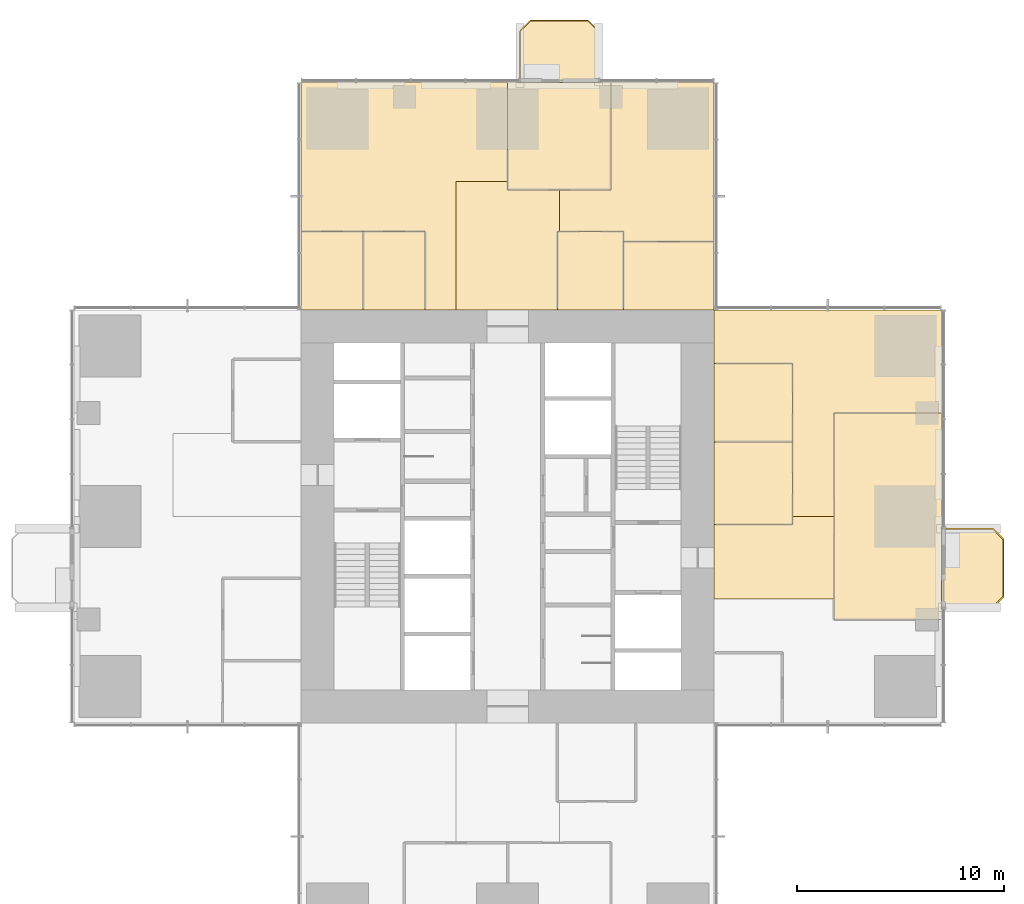
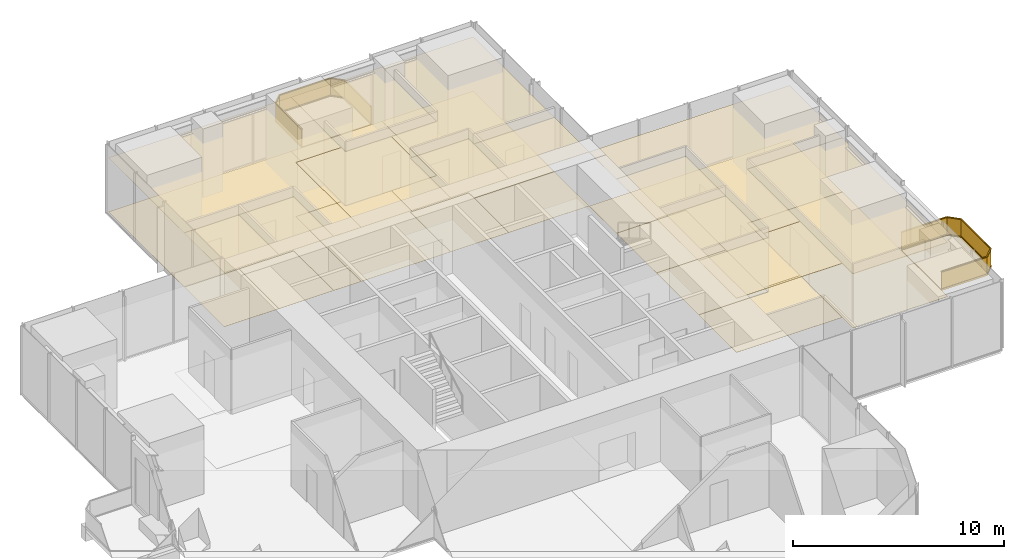
# One storey, part 12 of 13: 28 coverings, 2 railings.
"""IFC4 building model written with IfcOpenShell, lengths in metres."""

from ifc_helpers import new_model, si_unit, direction, frame, origin, origin_2d, place, context, subcontext, project, spatial, polyline, rectangle, outline, extrude, material, layer, layer_set, type_object, element, save


model = new_model("IFC4")

# Units and contexts
model_context = context("Model", 3, precision=1e-05, world=origin(), true_north=direction((0.0, 1.0)))
body_context = subcontext(model_context, "Body", "Model", "MODEL_VIEW")
ifc_project = project(units=[si_unit("LENGTHUNIT", "METRE"), si_unit("AREAUNIT", "SQUARE_METRE"), si_unit("VOLUMEUNIT", "CUBIC_METRE"), si_unit("PLANEANGLEUNIT", "RADIAN"), si_unit("MASSUNIT", "GRAM", prefix="KILO")], contexts=[model_context])

# Site, building, storey
site_placement = place(None, origin())
site = spatial("IfcSite", under=ifc_project, at=site_placement, CompositionType="ELEMENT")
building_placement = place(site_placement, origin())
building = spatial("IfcBuilding", under=site, at=building_placement, Name="Svetlomir Tower", CompositionType="ELEMENT")
storey_placement = place(building_placement, frame((0.0, 0.0, 152.5)))
storey = spatial("IfcBuildingStorey", under=building, at=storey_placement, Name="L36", CompositionType="ELEMENT", Elevation=152.5)

# Railings
ifc_material_1 = material(Name="Bronze anodised aluminium and laminated glass", Category="aluminium")
railing_type = type_object("IfcRailingType", Name="BALCONY GUARD GR1 1100", PredefinedType="GUARDRAIL", material=ifc_material_1)
railing_1_placement = place(storey_placement, frame((42.0, 16.60009765625, 0.0)))
element("IfcRailing", 1, at=railing_1_placement, inside=storey, type_object=railing_type, Name="Balcony guard E L36", PredefinedType="GUARDRAIL", context=body_context, shape_type="SweptSolid", body=[
    extrude(rectangle(XDim=0.06005859375, YDim=0.10009765625, at=origin_2d()), frame((0.0, 0.0, 0.050048828125), z_axis=(1.0, 0.0, 0.0), x_axis=(0.0, 1.0, 0.0)), (0.0, 0.0, 1.0), 2.5),
    extrude(rectangle(XDim=0.021484375, YDim=0.960205078125, at=origin_2d()), frame((0.0, 0.0, 0.580078125), z_axis=(1.0, 0.0, 0.0), x_axis=(0.0, 1.0, 0.0)), (0.0, 0.0, 1.0), 2.5),
    extrude(rectangle(XDim=0.06005859375, YDim=0.0400390625, at=origin_2d()), frame((0.0, 0.0, 1.080078125), z_axis=(1.0, 0.0, 0.0), x_axis=(0.0, 1.0, 0.0)), (0.0, 0.0, 1.0), 2.5),
    extrude(rectangle(XDim=0.06005859375, YDim=0.10009765625, at=origin_2d()), frame((2.5, 0.0, 0.050048828125), z_axis=(0.707106781187, 0.707106781187, 0.0), x_axis=(-0.707106781187, 0.707106781187, 0.0)), (0.0, 0.0, 1.0), 0.70703125),
    extrude(rectangle(XDim=0.021484375, YDim=0.960205078125, at=origin_2d()), frame((2.5, 0.0, 0.580078125), z_axis=(0.707106781187, 0.707106781187, 0.0), x_axis=(-0.707106781187, 0.707106781187, 0.0)), (0.0, 0.0, 1.0), 0.70703125),
    extrude(rectangle(XDim=0.06005859375, YDim=0.0400390625, at=origin_2d()), frame((2.5, 0.0, 1.080078125), z_axis=(0.707106781187, 0.707106781187, 0.0), x_axis=(-0.707106781187, 0.707106781187, 0.0)), (0.0, 0.0, 1.0), 0.70703125),
    extrude(rectangle(XDim=0.06005859375, YDim=0.10009765625, at=origin_2d()), frame((3.0, 0.5, 0.050048828125), z_axis=(0.0, 1.0, 0.0), x_axis=(-1.0, 0.0, 0.0)), (0.0, 0.0, 1.0), 2.7998046875),
    extrude(rectangle(XDim=0.021484375, YDim=0.960205078125, at=origin_2d()), frame((3.0, 0.5, 0.580078125), z_axis=(0.0, 1.0, 0.0), x_axis=(-1.0, 0.0, 0.0)), (0.0, 0.0, 1.0), 2.7998046875),
    extrude(rectangle(XDim=0.06005859375, YDim=0.0400390625, at=origin_2d()), frame((3.0, 0.5, 1.080078125), z_axis=(0.0, 1.0, 0.0), x_axis=(-1.0, 0.0, 0.0)), (0.0, 0.0, 1.0), 2.7998046875),
    extrude(rectangle(XDim=0.06005859375, YDim=0.10009765625, at=origin_2d()), frame((3.0, 3.2998046875, 0.050048828125), z_axis=(-0.707106781187, 0.707106781187, 0.0), x_axis=(-0.707106781187, -0.707106781187, 0.0)), (0.0, 0.0, 1.0), 0.70703125),
    extrude(rectangle(XDim=0.021484375, YDim=0.960205078125, at=origin_2d()), frame((3.0, 3.2998046875, 0.580078125), z_axis=(-0.707106781187, 0.707106781187, 0.0), x_axis=(-0.707106781187, -0.707106781187, 0.0)), (0.0, 0.0, 1.0), 0.70703125),
    extrude(rectangle(XDim=0.06005859375, YDim=0.0400390625, at=origin_2d()), frame((3.0, 3.2998046875, 1.080078125), z_axis=(-0.707106781187, 0.707106781187, 0.0), x_axis=(-0.707106781187, -0.707106781187, 0.0)), (0.0, 0.0, 1.0), 0.70703125),
    extrude(rectangle(XDim=0.06005859375, YDim=0.10009765625, at=origin_2d()), frame((2.5, 3.7998046875, 0.050048828125), z_axis=(-1.0, 0.0, 0.0), x_axis=(0.0, -1.0, 0.0)), (0.0, 0.0, 1.0), 2.5),
    extrude(rectangle(XDim=0.021484375, YDim=0.960205078125, at=origin_2d()), frame((2.5, 3.7998046875, 0.580078125), z_axis=(-1.0, 0.0, 0.0), x_axis=(0.0, -1.0, 0.0)), (0.0, 0.0, 1.0), 2.5),
    extrude(rectangle(XDim=0.06005859375, YDim=0.0400390625, at=origin_2d()), frame((2.5, 3.7998046875, 1.080078125), z_axis=(-1.0, 0.0, 0.0), x_axis=(0.0, -1.0, 0.0)), (0.0, 0.0, 1.0), 2.5),
])
railing_2_placement = place(storey_placement, frame((25.39990234375, 42.0, 0.0)))
element("IfcRailing", 2, at=railing_2_placement, inside=storey, type_object=railing_type, Name="Balcony guard N L36", PredefinedType="GUARDRAIL", context=body_context, shape_type="SweptSolid", body=[
    extrude(rectangle(XDim=0.06005859375, YDim=0.10009765625, at=origin_2d()), frame((0.0, 0.0, 0.050048828125), z_axis=(0.0, 1.0, 0.0), x_axis=(-1.0, 0.0, 0.0)), (0.0, 0.0, 1.0), 2.5),
    extrude(rectangle(XDim=0.021484375, YDim=0.960205078125, at=origin_2d()), frame((0.0, 0.0, 0.580078125), z_axis=(0.0, 1.0, 0.0), x_axis=(-1.0, 0.0, 0.0)), (0.0, 0.0, 1.0), 2.5),
    extrude(rectangle(XDim=0.06005859375, YDim=0.0400390625, at=origin_2d()), frame((0.0, 0.0, 1.080078125), z_axis=(0.0, 1.0, 0.0), x_axis=(-1.0, 0.0, 0.0)), (0.0, 0.0, 1.0), 2.5),
    extrude(rectangle(XDim=0.06005859375, YDim=0.10009765625, at=origin_2d()), frame((0.0, 2.5, 0.050048828125), z_axis=(-0.707106781187, 0.707106781187, 0.0), x_axis=(-0.707106781187, -0.707106781187, 0.0)), (0.0, 0.0, 1.0), 0.70703125),
    extrude(rectangle(XDim=0.021484375, YDim=0.960205078125, at=origin_2d()), frame((0.0, 2.5, 0.580078125), z_axis=(-0.707106781187, 0.707106781187, 0.0), x_axis=(-0.707106781187, -0.707106781187, 0.0)), (0.0, 0.0, 1.0), 0.70703125),
    extrude(rectangle(XDim=0.06005859375, YDim=0.0400390625, at=origin_2d()), frame((0.0, 2.5, 1.080078125), z_axis=(-0.707106781187, 0.707106781187, 0.0), x_axis=(-0.707106781187, -0.707106781187, 0.0)), (0.0, 0.0, 1.0), 0.70703125),
    extrude(rectangle(XDim=0.06005859375, YDim=0.10009765625, at=origin_2d()), frame((-0.5, 3.0, 0.050048828125), z_axis=(-1.0, 0.0, 0.0), x_axis=(0.0, -1.0, 0.0)), (0.0, 0.0, 1.0), 2.7998046875),
    extrude(rectangle(XDim=0.021484375, YDim=0.960205078125, at=origin_2d()), frame((-0.5, 3.0, 0.580078125), z_axis=(-1.0, 0.0, 0.0), x_axis=(0.0, -1.0, 0.0)), (0.0, 0.0, 1.0), 2.7998046875),
    extrude(rectangle(XDim=0.06005859375, YDim=0.0400390625, at=origin_2d()), frame((-0.5, 3.0, 1.080078125), z_axis=(-1.0, 0.0, 0.0), x_axis=(0.0, -1.0, 0.0)), (0.0, 0.0, 1.0), 2.7998046875),
    extrude(rectangle(XDim=0.06005859375, YDim=0.10009765625, at=origin_2d()), frame((-3.2998046875, 3.0, 0.050048828125), z_axis=(-0.707106781187, -0.707106781187, 0.0), x_axis=(0.707106781187, -0.707106781187, 0.0)), (0.0, 0.0, 1.0), 0.70703125),
    extrude(rectangle(XDim=0.021484375, YDim=0.960205078125, at=origin_2d()), frame((-3.2998046875, 3.0, 0.580078125), z_axis=(-0.707106781187, -0.707106781187, 0.0), x_axis=(0.707106781187, -0.707106781187, 0.0)), (0.0, 0.0, 1.0), 0.70703125),
    extrude(rectangle(XDim=0.06005859375, YDim=0.0400390625, at=origin_2d()), frame((-3.2998046875, 3.0, 1.080078125), z_axis=(-0.707106781187, -0.707106781187, 0.0), x_axis=(0.707106781187, -0.707106781187, 0.0)), (0.0, 0.0, 1.0), 0.70703125),
    extrude(rectangle(XDim=0.06005859375, YDim=0.10009765625, at=origin_2d()), frame((-3.7998046875, 2.5, 0.050048828125), z_axis=(0.0, -1.0, 0.0), x_axis=(1.0, 0.0, 0.0)), (0.0, 0.0, 1.0), 2.5),
    extrude(rectangle(XDim=0.021484375, YDim=0.960205078125, at=origin_2d()), frame((-3.7998046875, 2.5, 0.580078125), z_axis=(0.0, -1.0, 0.0), x_axis=(1.0, 0.0, 0.0)), (0.0, 0.0, 1.0), 2.5),
    extrude(rectangle(XDim=0.06005859375, YDim=0.0400390625, at=origin_2d()), frame((-3.7998046875, 2.5, 1.080078125), z_axis=(0.0, -1.0, 0.0), x_axis=(1.0, 0.0, 0.0)), (0.0, 0.0, 1.0), 2.5),
])

# Coverings
ifc_material_2 = material(Name="Granite paving slabs on pedestals", Category="masonry")
ifc_layer_1 = layer(ifc_material_2, 0.0400390625)
ifc_layer_set_1 = layer_set([ifc_layer_1], Name="Granite paving slabs on pedestals")
covering_type_1 = type_object("IfcCoveringType", Name="BALCONY PAVING 40", PredefinedType="USERDEFINED", material=ifc_layer_set_1)
covering_1_placement = place(storey_placement, origin())
element("IfcCovering", 3, at=covering_1_placement, inside=storey, type_object=covering_type_1, Name="Balcony paving E L36", ObjectType="BALCONY PAVING", PredefinedType="USERDEFINED", context=body_context, shape_type="SweptSolid", body=[
    extrude(outline(polyline([(42.0, 16.60009765625), (44.5, 16.60009765625), (45.0, 17.10009765625), (45.0, 19.89990234375), (44.5, 20.39990234375), (42.0, 20.39990234375), (42.0, 16.60009765625)])), origin(), (0.0, 0.0, 1.0), 0.0400390625),
])
covering_2_placement = place(storey_placement, origin())
element("IfcCovering", 4, at=covering_2_placement, inside=storey, type_object=covering_type_1, Name="Balcony paving N L36", ObjectType="BALCONY PAVING", PredefinedType="USERDEFINED", context=body_context, shape_type="SweptSolid", body=[
    extrude(outline(polyline([(21.60009765625, 42.0), (25.39990234375, 42.0), (25.39990234375, 44.5), (24.89990234375, 45.0), (22.10009765625, 45.0), (21.60009765625, 44.5), (21.60009765625, 42.0)])), origin(), (0.0, 0.0, 1.0), 0.0400390625),
])
ifc_material_3 = material(Name="Carpet tile", Category="textile")
ifc_layer_2 = layer(ifc_material_3, 0.010009765625)
ifc_layer_set_2 = layer_set([ifc_layer_2], Name="Carpet tile")
covering_type_2 = type_object("IfcCoveringType", Name="CARPET TILE FLOOR 10", PredefinedType="FLOORING", material=ifc_layer_set_2)
covering_3_placement = place(storey_placement, origin())
element("IfcCovering", 5, at=covering_3_placement, inside=storey, type_object=covering_type_2, Name="Floor finish L36-19", PredefinedType="FLOORING", context=body_context, shape_type="SweptSolid", body=[
    extrude(outline(polyline([(31.0, 20.60009765625), (34.800048828125, 20.60009765625), (34.800048828125, 24.60009765625), (31.0, 24.60009765625), (31.0, 20.60009765625)])), origin(), (0.0, 0.0, 1.0), 0.010009765625),
])
covering_4_placement = place(storey_placement, origin())
element("IfcCovering", 6, at=covering_4_placement, inside=storey, type_object=covering_type_2, Name="Floor finish L36-20", PredefinedType="FLOORING", context=body_context, shape_type="SweptSolid", body=[
    extrude(outline(polyline([(31.0, 24.60009765625), (34.800048828125, 24.60009765625), (34.800048828125, 28.39990234375), (31.0, 28.39990234375), (31.0, 24.60009765625)])), origin(), (0.0, 0.0, 1.0), 0.010009765625),
])
covering_5_placement = place(storey_placement, origin())
element("IfcCovering", 7, at=covering_5_placement, inside=storey, type_object=covering_type_2, Name="Floor finish L36-21", PredefinedType="FLOORING", context=body_context, shape_type="SweptSolid", body=[
    extrude(outline(polyline([(36.800048828125, 16.0), (42.0, 16.0), (42.0, 26.0), (36.800048828125, 26.0), (36.800048828125, 16.0)])), origin(), (0.0, 0.0, 1.0), 0.010009765625),
])
covering_6_placement = place(storey_placement, origin())
element("IfcCovering", 8, at=covering_6_placement, inside=storey, type_object=covering_type_2, Name="Floor finish L36-22", PredefinedType="FLOORING", context=body_context, shape_type="SweptSolid", body=[
    extrude(outline(polyline([(11.0, 31.0), (14.0, 31.0), (14.0, 34.800048828125), (11.0, 34.800048828125), (11.0, 31.0)])), origin(), (0.0, 0.0, 1.0), 0.010009765625),
])
covering_7_placement = place(storey_placement, origin())
element("IfcCovering", 9, at=covering_7_placement, inside=storey, type_object=covering_type_2, Name="Floor finish L36-23", PredefinedType="FLOORING", context=body_context, shape_type="SweptSolid", body=[
    extrude(outline(polyline([(14.0, 31.0), (17.0, 31.0), (17.0, 34.800048828125), (14.0, 34.800048828125), (14.0, 31.0)])), origin(), (0.0, 0.0, 1.0), 0.010009765625),
])
covering_8_placement = place(storey_placement, origin())
element("IfcCovering", 10, at=covering_8_placement, inside=storey, type_object=covering_type_2, Name="Floor finish L36-24", PredefinedType="FLOORING", context=body_context, shape_type="SweptSolid", body=[
    extrude(outline(polyline([(23.39990234375, 31.0), (26.60009765625, 31.0), (26.60009765625, 34.800048828125), (23.39990234375, 34.800048828125), (23.39990234375, 31.0)])), origin(), (0.0, 0.0, 1.0), 0.010009765625),
])
covering_9_placement = place(storey_placement, origin())
element("IfcCovering", 11, at=covering_9_placement, inside=storey, type_object=covering_type_2, Name="Floor finish L36-25", PredefinedType="FLOORING", context=body_context, shape_type="SweptSolid", body=[
    extrude(outline(polyline([(26.60009765625, 31.0), (31.0, 31.0), (31.0, 34.300048828125), (26.60009765625, 34.300048828125), (26.60009765625, 31.0)])), origin(), (0.0, 0.0, 1.0), 0.010009765625),
])
covering_10_placement = place(storey_placement, origin())
element("IfcCovering", 12, at=covering_10_placement, inside=storey, type_object=covering_type_2, Name="Floor finish L36-26", PredefinedType="FLOORING", context=body_context, shape_type="SweptSolid", body=[
    extrude(outline(polyline([(21.0, 36.800048828125), (26.0, 36.800048828125), (26.0, 42.0), (21.0, 42.0), (21.0, 36.800048828125)])), origin(), (0.0, 0.0, 1.0), 0.010009765625),
])
covering_11_placement = place(storey_placement, origin())
element("IfcCovering", 13, at=covering_11_placement, inside=storey, type_object=covering_type_2, Name="Floor finish L36-31", PredefinedType="FLOORING", context=body_context, shape_type="SweptSolid", body=[
    extrude(outline(polyline([(31.0, 20.60009765625), (34.800048828125, 20.60009765625), (34.800048828125, 21.0), (36.800048828125, 21.0), (36.800048828125, 17.0), (31.0, 17.0), (31.0, 20.60009765625)])), origin(), (0.0, 0.0, 1.0), 0.010009765625),
])
covering_12_placement = place(storey_placement, origin())
element("IfcCovering", 14, at=covering_12_placement, inside=storey, type_object=covering_type_2, Name="Floor finish L36-32", PredefinedType="FLOORING", context=body_context, shape_type="SweptSolid", body=[
    extrude(outline(polyline([(23.39990234375, 34.800048828125), (23.39990234375, 31.0), (18.5, 31.0), (18.5, 37.199951171875), (21.0, 37.199951171875), (21.0, 36.800048828125), (23.5, 36.800048828125), (23.5, 34.800048828125), (23.39990234375, 34.800048828125)])), origin(), (0.0, 0.0, 1.0), 0.010009765625),
])
covering_13_placement = place(storey_placement, origin())
element("IfcCovering", 15, at=covering_13_placement, inside=storey, type_object=covering_type_2, Name="Floor finish L36-37", PredefinedType="FLOORING", context=body_context, shape_type="SweptSolid", body=[
    extrude(outline(polyline([(34.800048828125, 28.39990234375), (31.0, 28.39990234375), (31.0, 31.0), (42.0, 31.0), (42.0, 26.0), (36.800048828125, 26.0), (36.800048828125, 21.0), (34.800048828125, 21.0), (34.800048828125, 28.39990234375)])), origin(), (0.0, 0.0, 1.0), 0.010009765625),
])
covering_14_placement = place(storey_placement, origin())
element("IfcCovering", 16, at=covering_14_placement, inside=storey, type_object=covering_type_2, Name="Floor finish L36-38", PredefinedType="FLOORING", context=body_context, shape_type="SweptSolid", body=[
    extrude(outline(polyline([(26.60009765625, 34.300048828125), (26.60009765625, 34.800048828125), (23.5, 34.800048828125), (23.5, 36.800048828125), (26.0, 36.800048828125), (26.0, 42.0), (31.0, 42.0), (31.0, 34.300048828125), (26.60009765625, 34.300048828125)])), origin(), (0.0, 0.0, 1.0), 0.010009765625),
])
covering_15_placement = place(storey_placement, origin())
element("IfcCovering", 17, at=covering_15_placement, inside=storey, type_object=covering_type_2, Name="Floor finish L36-39", PredefinedType="FLOORING", context=body_context, shape_type="SweptSolid", body=[
    extrude(outline(polyline([(17.0, 34.800048828125), (11.0, 34.800048828125), (11.0, 42.0), (21.0, 42.0), (21.0, 37.199951171875), (18.5, 37.199951171875), (18.5, 31.0), (17.0, 31.0), (17.0, 34.800048828125)])), origin(), (0.0, 0.0, 1.0), 0.010009765625),
])
ifc_material_4 = material(Name="Mineral fibre ceiling tile", Category="mineral")
ifc_layer_3 = layer(ifc_material_4, 0.02001953125)
ifc_layer_set_3 = layer_set([ifc_layer_3], Name="Mineral fibre ceiling tile")
covering_type_3 = type_object("IfcCoveringType", Name="SUSPENDED CEILING 20", PredefinedType="CEILING", material=ifc_layer_set_3)
covering_16_placement = place(storey_placement, frame((0.0, 0.0, 3.1298828125)))
element("IfcCovering", 18, at=covering_16_placement, inside=storey, type_object=covering_type_3, Name="Ceiling L36-19", PredefinedType="CEILING", context=body_context, shape_type="SweptSolid", body=[
    extrude(outline(polyline([(31.0, 20.60009765625), (34.800048828125, 20.60009765625), (34.800048828125, 24.60009765625), (31.0, 24.60009765625), (31.0, 20.60009765625)])), origin(), (0.0, 0.0, 1.0), 0.02001953125),
])
covering_17_placement = place(storey_placement, frame((0.0, 0.0, 3.1298828125)))
element("IfcCovering", 19, at=covering_17_placement, inside=storey, type_object=covering_type_3, Name="Ceiling L36-20", PredefinedType="CEILING", context=body_context, shape_type="SweptSolid", body=[
    extrude(outline(polyline([(31.0, 24.60009765625), (34.800048828125, 24.60009765625), (34.800048828125, 28.39990234375), (31.0, 28.39990234375), (31.0, 24.60009765625)])), origin(), (0.0, 0.0, 1.0), 0.02001953125),
])
covering_18_placement = place(storey_placement, frame((0.0, 0.0, 3.1298828125)))
element("IfcCovering", 20, at=covering_18_placement, inside=storey, type_object=covering_type_3, Name="Ceiling L36-21", PredefinedType="CEILING", context=body_context, shape_type="SweptSolid", body=[
    extrude(outline(polyline([(36.800048828125, 16.0), (42.0, 16.0), (42.0, 26.0), (36.800048828125, 26.0), (36.800048828125, 16.0)])), origin(), (0.0, 0.0, 1.0), 0.02001953125),
])
covering_19_placement = place(storey_placement, frame((0.0, 0.0, 3.1298828125)))
element("IfcCovering", 21, at=covering_19_placement, inside=storey, type_object=covering_type_3, Name="Ceiling L36-22", PredefinedType="CEILING", context=body_context, shape_type="SweptSolid", body=[
    extrude(outline(polyline([(11.0, 31.0), (14.0, 31.0), (14.0, 34.800048828125), (11.0, 34.800048828125), (11.0, 31.0)])), origin(), (0.0, 0.0, 1.0), 0.02001953125),
])
covering_20_placement = place(storey_placement, frame((0.0, 0.0, 3.1298828125)))
element("IfcCovering", 22, at=covering_20_placement, inside=storey, type_object=covering_type_3, Name="Ceiling L36-23", PredefinedType="CEILING", context=body_context, shape_type="SweptSolid", body=[
    extrude(outline(polyline([(14.0, 31.0), (17.0, 31.0), (17.0, 34.800048828125), (14.0, 34.800048828125), (14.0, 31.0)])), origin(), (0.0, 0.0, 1.0), 0.02001953125),
])
covering_21_placement = place(storey_placement, frame((0.0, 0.0, 3.1298828125)))
element("IfcCovering", 23, at=covering_21_placement, inside=storey, type_object=covering_type_3, Name="Ceiling L36-24", PredefinedType="CEILING", context=body_context, shape_type="SweptSolid", body=[
    extrude(outline(polyline([(23.39990234375, 31.0), (26.60009765625, 31.0), (26.60009765625, 34.800048828125), (23.39990234375, 34.800048828125), (23.39990234375, 31.0)])), origin(), (0.0, 0.0, 1.0), 0.02001953125),
])
covering_22_placement = place(storey_placement, frame((0.0, 0.0, 3.1298828125)))
element("IfcCovering", 24, at=covering_22_placement, inside=storey, type_object=covering_type_3, Name="Ceiling L36-25", PredefinedType="CEILING", context=body_context, shape_type="SweptSolid", body=[
    extrude(outline(polyline([(26.60009765625, 31.0), (31.0, 31.0), (31.0, 34.300048828125), (26.60009765625, 34.300048828125), (26.60009765625, 31.0)])), origin(), (0.0, 0.0, 1.0), 0.02001953125),
])
covering_23_placement = place(storey_placement, frame((0.0, 0.0, 3.1298828125)))
element("IfcCovering", 25, at=covering_23_placement, inside=storey, type_object=covering_type_3, Name="Ceiling L36-26", PredefinedType="CEILING", context=body_context, shape_type="SweptSolid", body=[
    extrude(outline(polyline([(21.0, 36.800048828125), (26.0, 36.800048828125), (26.0, 42.0), (21.0, 42.0), (21.0, 36.800048828125)])), origin(), (0.0, 0.0, 1.0), 0.02001953125),
])
covering_24_placement = place(storey_placement, frame((0.0, 0.0, 3.1298828125)))
element("IfcCovering", 26, at=covering_24_placement, inside=storey, type_object=covering_type_3, Name="Ceiling L36-31", PredefinedType="CEILING", context=body_context, shape_type="SweptSolid", body=[
    extrude(outline(polyline([(31.0, 20.60009765625), (34.800048828125, 20.60009765625), (34.800048828125, 21.0), (36.800048828125, 21.0), (36.800048828125, 17.0), (31.0, 17.0), (31.0, 20.60009765625)])), origin(), (0.0, 0.0, 1.0), 0.02001953125),
])
covering_25_placement = place(storey_placement, frame((0.0, 0.0, 3.1298828125)))
element("IfcCovering", 27, at=covering_25_placement, inside=storey, type_object=covering_type_3, Name="Ceiling L36-32", PredefinedType="CEILING", context=body_context, shape_type="SweptSolid", body=[
    extrude(outline(polyline([(23.39990234375, 34.800048828125), (23.39990234375, 31.0), (18.5, 31.0), (18.5, 37.199951171875), (21.0, 37.199951171875), (21.0, 36.800048828125), (23.5, 36.800048828125), (23.5, 34.800048828125), (23.39990234375, 34.800048828125)])), origin(), (0.0, 0.0, 1.0), 0.02001953125),
])
covering_26_placement = place(storey_placement, frame((0.0, 0.0, 3.1298828125)))
element("IfcCovering", 28, at=covering_26_placement, inside=storey, type_object=covering_type_3, Name="Ceiling L36-37", PredefinedType="CEILING", context=body_context, shape_type="SweptSolid", body=[
    extrude(outline(polyline([(34.800048828125, 28.39990234375), (31.0, 28.39990234375), (31.0, 31.0), (42.0, 31.0), (42.0, 26.0), (36.800048828125, 26.0), (36.800048828125, 21.0), (34.800048828125, 21.0), (34.800048828125, 28.39990234375)])), origin(), (0.0, 0.0, 1.0), 0.02001953125),
])
covering_27_placement = place(storey_placement, frame((0.0, 0.0, 3.1298828125)))
element("IfcCovering", 29, at=covering_27_placement, inside=storey, type_object=covering_type_3, Name="Ceiling L36-38", PredefinedType="CEILING", context=body_context, shape_type="SweptSolid", body=[
    extrude(outline(polyline([(26.60009765625, 34.300048828125), (26.60009765625, 34.800048828125), (23.5, 34.800048828125), (23.5, 36.800048828125), (26.0, 36.800048828125), (26.0, 42.0), (31.0, 42.0), (31.0, 34.300048828125), (26.60009765625, 34.300048828125)])), origin(), (0.0, 0.0, 1.0), 0.02001953125),
])
covering_28_placement = place(storey_placement, frame((0.0, 0.0, 3.1298828125)))
element("IfcCovering", 30, at=covering_28_placement, inside=storey, type_object=covering_type_3, Name="Ceiling L36-39", PredefinedType="CEILING", context=body_context, shape_type="SweptSolid", body=[
    extrude(outline(polyline([(17.0, 34.800048828125), (11.0, 34.800048828125), (11.0, 42.0), (21.0, 42.0), (21.0, 37.199951171875), (18.5, 37.199951171875), (18.5, 31.0), (17.0, 31.0), (17.0, 34.800048828125)])), origin(), (0.0, 0.0, 1.0), 0.02001953125),
])

save(model, "model.ifc")
